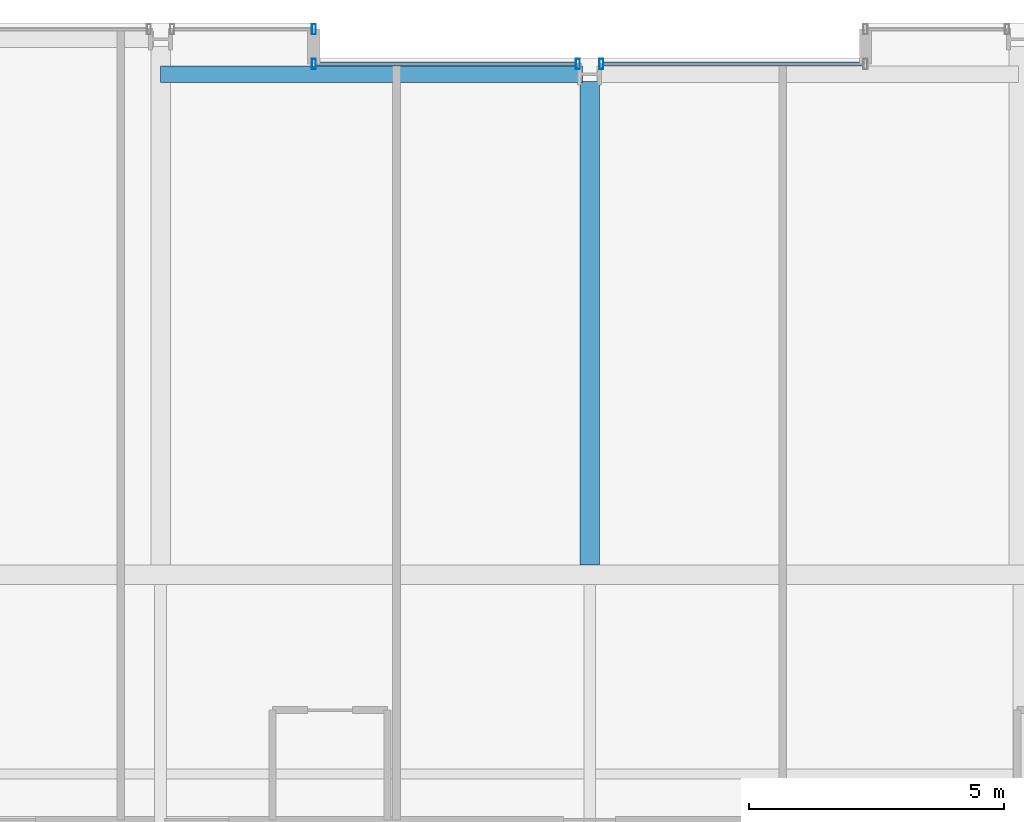
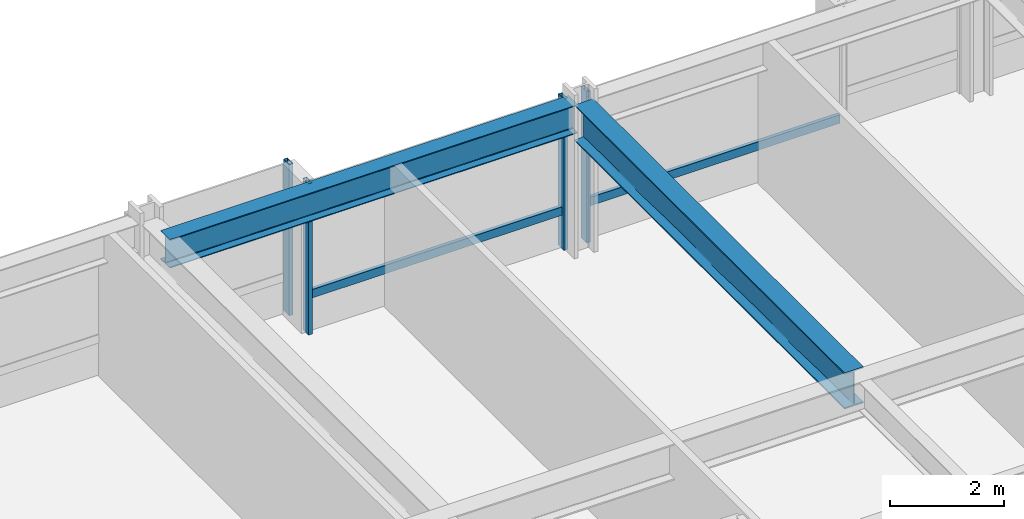
# One storey, part 23 of 38: 6 members, 2 beams, 3 elements without a shape of their own.
"""IFC4 building model written with IfcOpenShell, lengths in metres."""

import ifcopenshell
import ifcopenshell.guid

model = None  # the IFC model being written
_history = None  # IfcOwnerHistory: only IFC2X3 demands one
_inside = {}  # id of a spatial element -> (the spatial element, [elements in it])
_under = {}  # id of a project, library or spatial element -> (it, [spatial elements below it])
_declared = {}  # id of a project -> (the project, [libraries it declares])
_typed = {}  # id of a type object -> (the type object, [elements of that type])
_made_of = {}  # id of a material, layer set ... -> (it, [elements and type objects made of it])


def new_model(schema):
    """Start an empty IFC model of exactly this schema.

    Asked for "IFC4X3", IfcOpenShell would pick the latest addendum, in which some entities
    have other attributes; the version numbers below select the first issue.
    IFC2X3 requires an IfcOwnerHistory on every rooted entity: one is made here for all.
    """
    global model, _history
    if schema == "IFC4X3":
        model = ifcopenshell.file(schema_version=(4, 3, 0, 0))
    else:
        model = ifcopenshell.file(schema=schema)
    _inside.clear()
    _under.clear()
    _declared.clear()
    _typed.clear()
    _made_of.clear()
    _history = None
    if model.schema == "IFC2X3":
        org = make("IfcOrganization", Name="unknown")
        user = make(
            "IfcPersonAndOrganization",
            ThePerson=make("IfcPerson", FamilyName="unknown"),
            TheOrganization=org,
        )
        app = make(
            "IfcApplication",
            ApplicationDeveloper=org,
            Version="unknown",
            ApplicationFullName="unknown",
            ApplicationIdentifier="unknown",
        )
        _history = make(
            "IfcOwnerHistory",
            OwningUser=user,
            OwningApplication=app,
            ChangeAction="ADDED",
            CreationDate=0,
        )
    return model


def make(cls, **values):
    """One entity of the class cls with the attributes given. An attribute that is None is left unset."""
    return model.create_entity(
        cls, **{name: value for name, value in values.items() if value is not None}
    )


def rooted(cls, **values):
    """An entity with a GlobalId (a new one), such as an element, a storey or a relation."""
    return make(cls, GlobalId=ifcopenshell.guid.new(), OwnerHistory=_history, **values)


def si_unit(unit_type, name, prefix=None):
    """IfcSIUnit, for example si_unit("LENGTHUNIT", "METRE", prefix="MILLI")."""
    return make("IfcSIUnit", UnitType=unit_type, Prefix=prefix, Name=name)


def assignment(units):
    """IfcUnitAssignment: the units of a project."""
    return None if units is None else make("IfcUnitAssignment", Units=units)


def point(xyz):
    """IfcCartesianPoint."""
    return None if xyz is None else make("IfcCartesianPoint", Coordinates=xyz)


def direction(xyz):
    """IfcDirection."""
    return None if xyz is None else make("IfcDirection", DirectionRatios=xyz)


def frame(location, z_axis=None, x_axis=None):
    """IfcAxis2Placement3D, a coordinate frame: its origin and axes. An axis left out is left unset."""
    return make(
        "IfcAxis2Placement3D",
        Location=point(location),
        Axis=direction(z_axis),
        RefDirection=direction(x_axis),
    )


def frame_2d(location, x_axis=None):
    """IfcAxis2Placement2D, a coordinate frame in the plane: its origin and x axis."""
    return make(
        "IfcAxis2Placement2D", Location=point(location), RefDirection=direction(x_axis)
    )


def origin():
    """The frame at (0, 0, 0) with its axes left unset."""
    return frame((0.0, 0.0, 0.0))


def origin_2d():
    """The frame at (0, 0) in the plane with its x axis left unset."""
    return frame_2d((0.0, 0.0))


def place(relative_to, where):
    """IfcLocalPlacement: puts the frame where relative to a parent placement (None: the world)."""
    return make(
        "IfcLocalPlacement", PlacementRelTo=relative_to, RelativePlacement=where
    )


def context(
    kind, dimensions, precision=None, world=None, true_north=None, identifier=None
):
    """IfcGeometricRepresentationContext, for example the 3D "Model" context."""
    return make(
        "IfcGeometricRepresentationContext",
        ContextIdentifier=identifier,
        ContextType=kind,
        CoordinateSpaceDimension=dimensions,
        Precision=precision,
        WorldCoordinateSystem=world,
        TrueNorth=true_north,
    )


def subcontext(parent, identifier, kind, view, scale=None):
    """IfcGeometricRepresentationSubContext, for example "Body" below "Model"."""
    return make(
        "IfcGeometricRepresentationSubContext",
        ContextIdentifier=identifier,
        ContextType=kind,
        ParentContext=parent,
        TargetScale=scale,
        TargetView=view,
    )


def project(units=None, contexts=None):
    """IfcProject with its units and contexts."""
    return rooted(
        "IfcProject",
        Name="project",
        RepresentationContexts=contexts,
        UnitsInContext=assignment(units),
    )


def spatial(cls, under=None, at=None, **own):
    """A site, building, storey or space (cls), placed at a placement, below another one or the project."""
    s = rooted(cls, ObjectPlacement=at, **own)
    if under is not None:
        _under.setdefault(under.id(), (under, []))[1].append(s)
    return s


def profile(cls, at=None, kind="AREA", **sizes):
    """A parametric profile (cls). Its sizes go by their IFC names, for example OverallWidth=200.0."""
    return make(cls, ProfileType=kind, Position=at, **sizes)


def hollow_rectangle(**sizes):
    """IfcRectangleHollowProfileDef."""
    return profile("IfcRectangleHollowProfileDef", **sizes)


def i_section(**sizes):
    """IfcIShapeProfileDef."""
    return profile("IfcIShapeProfileDef", **sizes)


def extrude(swept, where, along, depth):
    """IfcExtrudedAreaSolid: the profile swept, set in the frame where, extruded along a direction by depth."""
    return make(
        "IfcExtrudedAreaSolid",
        SweptArea=swept,
        Position=where,
        ExtrudedDirection=direction(along),
        Depth=depth,
    )


def shape(context_of_items, identifier, shape_type, items):
    """IfcShapeRepresentation: the items that make up one representation, for example the "Body"."""
    return make(
        "IfcShapeRepresentation",
        ContextOfItems=context_of_items,
        RepresentationIdentifier=identifier,
        RepresentationType=shape_type,
        Items=items,
    )


def material(Name=None, Category=None):
    """IfcMaterial."""
    return make("IfcMaterial", Name=Name, Category=Category)


def layer(
    of_material, thickness, ventilated=None, Name=None, Category=None, Priority=None
):
    """IfcMaterialLayer: one layer of a wall or slab, of a material (None: an air gap)."""
    return make(
        "IfcMaterialLayer",
        Material=of_material,
        LayerThickness=thickness,
        IsVentilated=ventilated,
        Name=Name,
        Category=Category,
        Priority=Priority,
    )


def layer_set(layers, Name=None):
    """IfcMaterialLayerSet."""
    return make("IfcMaterialLayerSet", MaterialLayers=layers, LayerSetName=Name)


def material_profile(
    of_material, cross_section, Name=None, Category=None, Priority=None
):
    """IfcMaterialProfile: a cross section and its material."""
    return make(
        "IfcMaterialProfile",
        Name=Name,
        Material=of_material,
        Profile=cross_section,
        Priority=Priority,
        Category=Category,
    )


def profile_set(profiles, Name=None, composite=None):
    """IfcMaterialProfileSet."""
    return make(
        "IfcMaterialProfileSet",
        Name=Name,
        MaterialProfiles=profiles,
        CompositeProfile=composite,
    )


def made_of(thing, what):
    """Note that an element or type object is made of a material, layer set ...; save() writes the relation."""
    if what is not None:
        _made_of.setdefault(what.id(), (what, []))[1].append(thing)
    return thing


def type_object(cls, material=None, **own):
    """A type object (cls), such as IfcWallType, which elements share."""
    return made_of(rooted(cls, **own), material)


def element(
    cls,
    number,
    at=None,
    inside=None,
    cuts=None,
    type_object=None,
    material=None,
    context=None,
    identifier="Body",
    shape_type=None,
    held_by="IfcProductDefinitionShape",
    body=None,
    shapes=None,
    **own,
):
    """One element of the class cls, such as IfcWall. Its Tag is "e" and its number.

    at: its placement. inside: the storey or other place that contains it. cuts: it is an
    opening in that element (IfcRelVoidsElement). A single representation is given by context,
    identifier, shape_type and body (its items); several are given by shapes. held_by: the class
    of the entity that holds the representations. save() writes the other relations.
    """
    e = rooted(cls, Tag="e%d" % number, ObjectPlacement=at, **own)
    if body is not None:
        shapes = [shape(context, identifier, shape_type, body)]
    if shapes is not None:
        e.Representation = make(held_by, Representations=shapes)
    if inside is not None:
        _inside.setdefault(inside.id(), (inside, []))[1].append(e)
    if cuts is not None:
        rooted(
            "IfcRelVoidsElement", RelatingBuildingElement=cuts, RelatedOpeningElement=e
        )
    if type_object is not None:
        _typed.setdefault(type_object.id(), (type_object, []))[1].append(e)
    return made_of(e, material)


def aggregate(whole, parts):
    """IfcRelAggregates: a whole, such as a stair, and the parts it consists of."""
    return rooted("IfcRelAggregates", RelatingObject=whole, RelatedObjects=parts)


def save(model, path):
    """Write the relations noted so far, then the file.

    IfcRelAggregates (storeys below a building ...), IfcRelContainedInSpatialStructure (elements
    in a storey), IfcRelDefinesByType, IfcRelAssociatesMaterial and IfcRelDeclares: one each for
    every whole, place, type object, material and project.
    """
    for whole, parts in _under.values():
        aggregate(whole, parts)
    for where, things in _inside.values():
        rooted(
            "IfcRelContainedInSpatialStructure",
            RelatedElements=things,
            RelatingStructure=where,
        )
    for kind, things in _typed.values():
        rooted("IfcRelDefinesByType", RelatedObjects=things, RelatingType=kind)
    for what, things in _made_of.values():
        rooted("IfcRelAssociatesMaterial", RelatedObjects=things, RelatingMaterial=what)
    for by, libraries in _declared.values():
        rooted("IfcRelDeclares", RelatingContext=by, RelatedDefinitions=libraries)
    model.write(path)


model = new_model("IFC4")

# Units and contexts
model_context = context("Model", 3, precision=1e-05, world=origin(), true_north=direction((0.0, 1.0)))
body_context = subcontext(model_context, "Body", "Model", "MODEL_VIEW")
ifc_project = project(units=[si_unit("LENGTHUNIT", "METRE"), si_unit("AREAUNIT", "SQUARE_METRE"), si_unit("VOLUMEUNIT", "CUBIC_METRE"), si_unit("PLANEANGLEUNIT", "RADIAN"), si_unit("MASSUNIT", "GRAM", prefix="KILO")], contexts=[model_context])

# Site, building, storey
site_placement = place(None, origin())
site = spatial("IfcSite", under=ifc_project, at=site_placement, CompositionType="ELEMENT")
building_placement = place(site_placement, origin())
building = spatial("IfcBuilding", under=site, at=building_placement, Name="Drelvath Grand Hotel", CompositionType="ELEMENT")
storey_placement = place(building_placement, frame((0.0, 0.0, 61.199951171875)))
storey = spatial("IfcBuildingStorey", under=building, at=storey_placement, Name="L14", CompositionType="ELEMENT", Elevation=61.199951171875)

# Curtain wall, member
ifc_material_1 = material(Name="Warm Bronze Anodised Aluminium Frame", Category="aluminium")
ifc_layer = layer(ifc_material_1, 0.199951171875)
ifc_layer_set = layer_set([ifc_layer], Name="Warm Bronze Anodised Aluminium Frame")
curtain_wall_type = type_object("IfcCurtainWallType", Name="Stick Curtain Wall CW-02 Warm Bronze Low-Rise", PredefinedType="NOTDEFINED", material=ifc_layer_set)
curtain_wall_1_placement = place(storey_placement, origin())
curtain_wall_1 = element("IfcCurtainWall", 1, at=curtain_wall_1_placement, inside=storey, type_object=curtain_wall_type, Name="L14 CW-02 Curtain Wall CW02-L14-NM1", PredefinedType="NOTDEFINED")
ifc_material_profile_1 = material_profile(ifc_material_1, hollow_rectangle(XDim=0.074951171875, YDim=0.179931640625, WallThickness=0.0048828125, at=origin_2d()), Name="HSS180X75X5")
ifc_profile_set_1 = profile_set([ifc_material_profile_1], Name="Warm Bronze Anodised Aluminium Frame")
member_type_1 = type_object("IfcMemberType", Name="Curtain Wall Horizontal Transom CW-02 HSS180X75X5", PredefinedType="USERDEFINED", material=ifc_profile_set_1)
member_1_placement = place(storey_placement, frame((-5.360107421875, 53.199951171875, 0.81005859375), z_axis=(1.0, 0.0, 0.0), x_axis=(0.0, 1.0, 0.0)))
member_1 = element("IfcMember", 2, at=member_1_placement, type_object=member_type_1, Name="CW02-L14-NM1 Sill Transom", ObjectType="TRANSOM", PredefinedType="USERDEFINED", context=body_context, shape_type="SweptSolid", body=[
    extrude(hollow_rectangle(XDim=0.074951171875, YDim=0.179931640625, WallThickness=0.0048828125, at=origin_2d()), origin(), (0.0, 0.0, 1.0), 5.091064453125),
])

curtain_wall_2_placement = place(storey_placement, origin())
curtain_wall_2 = element("IfcCurtainWall", 3, at=curtain_wall_2_placement, inside=storey, type_object=curtain_wall_type, Name="L14 CW-02 Curtain Wall CW02-L14-NM2", PredefinedType="NOTDEFINED")
member_2_placement = place(storey_placement, frame((0.26904296875, 53.199951171875, 0.81005859375), z_axis=(1.0, 0.0, 0.0), x_axis=(0.0, 1.0, 0.0)))
member_2 = element("IfcMember", 4, at=member_2_placement, type_object=member_type_1, Name="CW02-L14-NM2 Sill Transom", ObjectType="TRANSOM", PredefinedType="USERDEFINED", context=body_context, shape_type="SweptSolid", body=[
    extrude(hollow_rectangle(XDim=0.074951171875, YDim=0.179931640625, WallThickness=0.0048828125, at=origin_2d()), origin(), (0.0, 0.0, 1.0), 5.091064453125),
])

curtain_wall_3_placement = place(storey_placement, origin())
curtain_wall_3 = element("IfcCurtainWall", 5, at=curtain_wall_3_placement, inside=storey, type_object=curtain_wall_type, Name="L14 CW-02 Curtain Wall CW02-L14-NW3", PredefinedType="NOTDEFINED")
ifc_material_profile_2 = material_profile(ifc_material_1, hollow_rectangle(XDim=0.080078125, YDim=0.199951171875, WallThickness=0.0048828125, at=origin_2d()), Name="HSS200X80X5")
ifc_profile_set_2 = profile_set([ifc_material_profile_2], Name="Warm Bronze Anodised Aluminium Frame")
member_type_2 = type_object("IfcMemberType", Name="Curtain Wall Vertical Mullion CW-02 HSS200X80X5", PredefinedType="MULLION", material=ifc_profile_set_2)
member_3_placement = place(storey_placement, frame((-5.39990234375, 53.8798828125, 0.0), z_axis=(0.0, 0.0, 1.0), x_axis=(1.0, 0.0, 0.0)))
member_3 = element("IfcMember", 6, at=member_3_placement, type_object=member_type_2, Name="CW02-L14-NW3 Mullion 2", PredefinedType="MULLION", context=body_context, shape_type="SweptSolid", body=[
    extrude(hollow_rectangle(XDim=0.080078125, YDim=0.199951171875, WallThickness=0.0048828125, at=origin_2d()), origin(), (0.0, 0.0, 1.0), 3.239990234375),
])
aggregate(curtain_wall_3, [member_3])

# Member
member_4_placement = place(storey_placement, frame((-5.39990234375, 53.199951171875, 0.0), z_axis=(0.0, 0.0, 1.0), x_axis=(1.0, 0.0, 0.0)))
member_4 = element("IfcMember", 7, at=member_4_placement, type_object=member_type_2, Name="CW02-L14-NM1 Mullion 1", PredefinedType="MULLION", context=body_context, shape_type="SweptSolid", body=[
    extrude(hollow_rectangle(XDim=0.080078125, YDim=0.199951171875, WallThickness=0.0048828125, at=origin_2d()), origin(), (0.0, 0.0, 1.0), 3.239990234375),
])

member_5_placement = place(storey_placement, frame((-0.22900390625, 53.199951171875, 0.0), z_axis=(0.0, 0.0, 1.0), x_axis=(1.0, 0.0, 0.0)))
member_5 = element("IfcMember", 8, at=member_5_placement, type_object=member_type_2, Name="CW02-L14-NM1 Mullion 2", PredefinedType="MULLION", context=body_context, shape_type="SweptSolid", body=[
    extrude(hollow_rectangle(XDim=0.080078125, YDim=0.199951171875, WallThickness=0.0048828125, at=origin_2d()), origin(), (0.0, 0.0, 1.0), 3.239990234375),
])

aggregate(curtain_wall_1, [member_4, member_5, member_1])

member_6_placement = place(storey_placement, frame((0.22900390625, 53.199951171875, 0.0), z_axis=(0.0, 0.0, 1.0), x_axis=(1.0, 0.0, 0.0)))
member_6 = element("IfcMember", 9, at=member_6_placement, type_object=member_type_2, Name="CW02-L14-NM2 Mullion 1", PredefinedType="MULLION", context=body_context, shape_type="SweptSolid", body=[
    extrude(hollow_rectangle(XDim=0.080078125, YDim=0.199951171875, WallThickness=0.0048828125, at=origin_2d()), origin(), (0.0, 0.0, 1.0), 3.239990234375),
])

aggregate(curtain_wall_2, [member_6, member_2])

# Beams
ifc_material_2 = material(Name="Steel ASTM A992 Gr 50", Category="steel")
ifc_material_profile_3 = material_profile(ifc_material_2, i_section(OverallWidth=0.323974609375, OverallDepth=0.611083984375, WebThickness=0.0126953125, FlangeThickness=0.01904296875, FilletRadius=0.02197265625, at=origin_2d()), Name="W24X104")
ifc_profile_set_3 = profile_set([ifc_material_profile_3], Name="Steel ASTM A992 Gr 50")
beam_type_1 = type_object("IfcBeamType", Name="Perimeter Spandrel Beam W24X104", PredefinedType="SPANDREL", material=ifc_profile_set_3)
beam_1_placement = place(storey_placement, frame((-8.39990234375, 53.0, 2.9345703125), z_axis=(1.0, 0.0, 0.0), x_axis=(0.0, 1.0, 0.0)))
element("IfcBeam", 10, at=beam_1_placement, inside=storey, type_object=beam_type_1, Name="L14 Spandrel North Mid W", PredefinedType="SPANDREL", context=body_context, shape_type="SweptSolid", body=[
    extrude(i_section(OverallWidth=0.323974609375, OverallDepth=0.611083984375, WebThickness=0.0126953125, FlangeThickness=0.01904296875, FilletRadius=0.02197265625, at=origin_2d()), origin(), (0.0, 0.0, 1.0), 8.260009765625),
])
ifc_material_profile_4 = material_profile(ifc_material_2, i_section(OverallWidth=0.380615234375, OverallDepth=0.773193359375, WebThickness=0.0166015625, FlangeThickness=0.027099609375, FilletRadius=0.02490234375, at=origin_2d()), Name="W30X173")
ifc_profile_set_4 = profile_set([ifc_material_profile_4], Name="Steel ASTM A992 Gr 50")
beam_type_2 = type_object("IfcBeamType", Name="Primary Floor Girder W30X173", PredefinedType="BEAM", material=ifc_profile_set_4)
beam_2_placement = place(storey_placement, frame((0.0, 43.390380859375, 2.853515625), z_axis=(0.0, 1.0, 0.0), x_axis=(-1.0, 0.0, 0.0)))
element("IfcBeam", 11, at=beam_2_placement, inside=storey, type_object=beam_type_2, Name="L14 North Wing Girder 5", PredefinedType="BEAM", context=body_context, shape_type="SweptSolid", body=[
    extrude(i_section(OverallWidth=0.380615234375, OverallDepth=0.773193359375, WebThickness=0.0166015625, FlangeThickness=0.027099609375, FilletRadius=0.02490234375, at=origin_2d()), origin(), (0.0, 0.0, 1.0), 9.4697265625),
])

save(model, "model.ifc")
